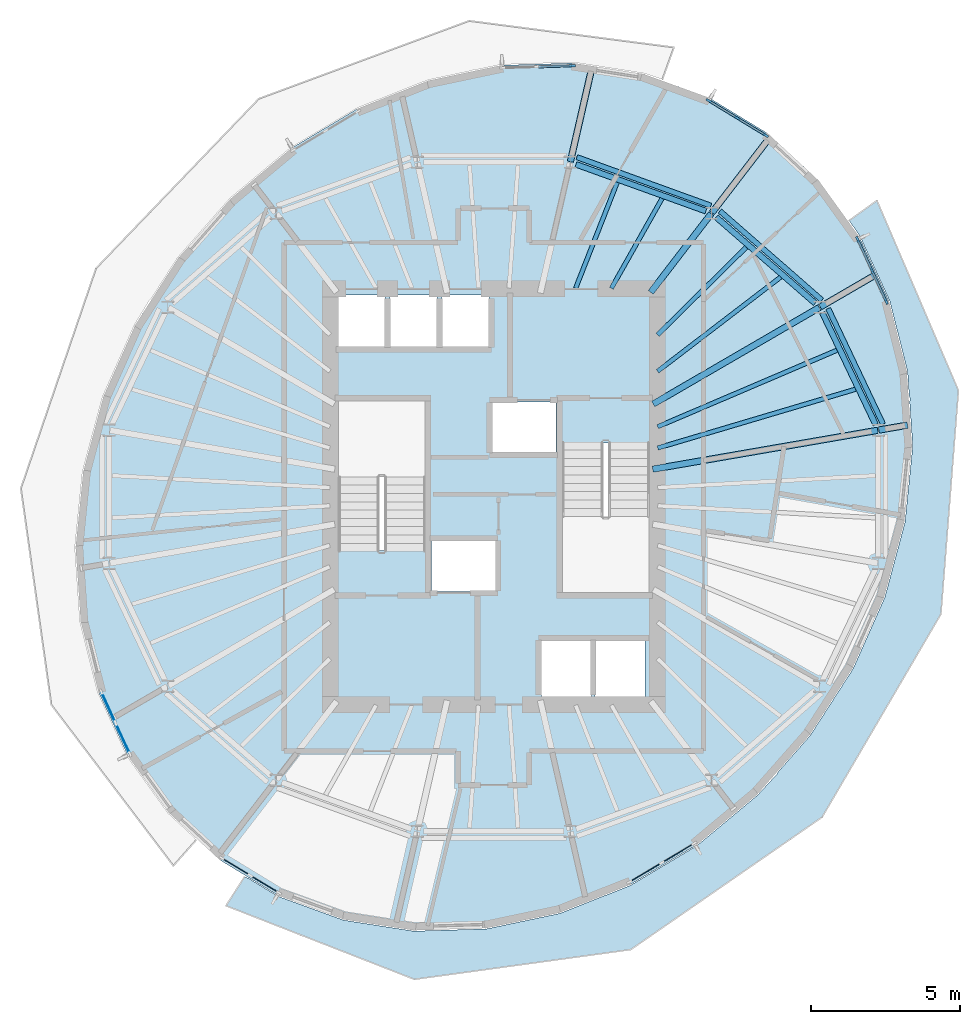
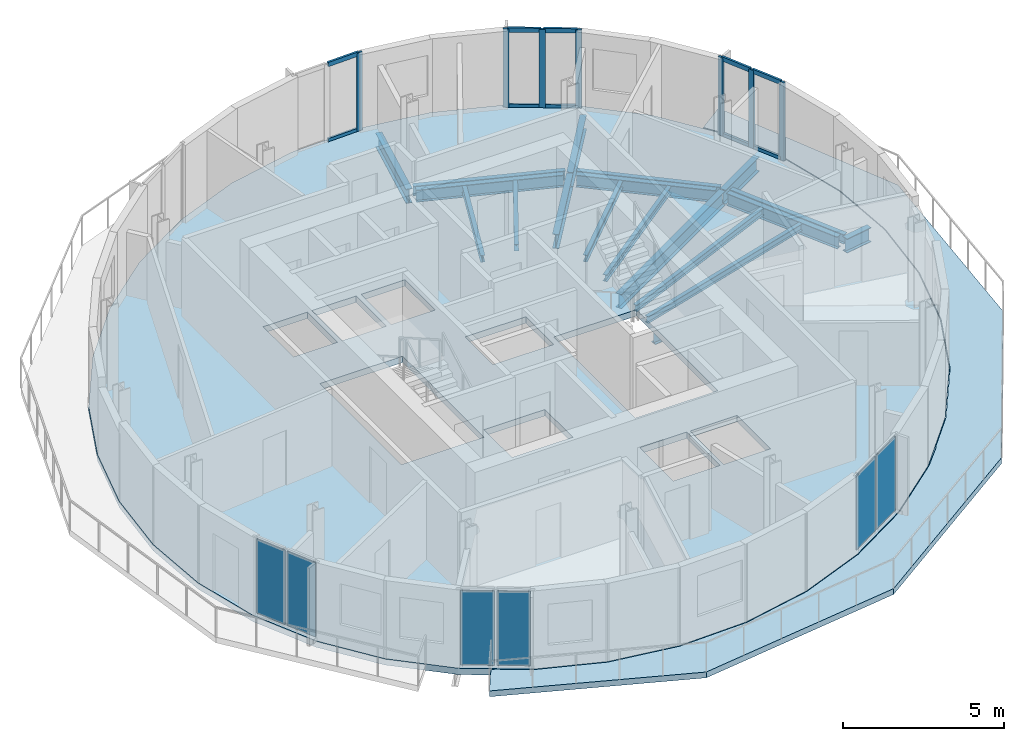
# One storey, part 3 of 11: 19 beams, 17 members, 6 plates, 2 slabs, 6 elements without a shape of their own.
"""IFC4 building model written with IfcOpenShell, lengths in metres."""

from ifc_helpers import new_model, si_unit, direction, frame, origin, origin_2d, place, context, subcontext, project, spatial, polyline, rectangle, i_section, outline, extrude, material, layer, layer_set, material_profile, profile_set, type_object, element, aggregate, save


model = new_model("IFC4")

# Units and contexts
model_context = context("Model", 3, precision=1e-05, world=origin(), true_north=direction((0.0, 1.0)))
body_context = subcontext(model_context, "Body", "Model", "MODEL_VIEW")
ifc_project = project(units=[si_unit("LENGTHUNIT", "METRE"), si_unit("AREAUNIT", "SQUARE_METRE"), si_unit("VOLUMEUNIT", "CUBIC_METRE"), si_unit("PLANEANGLEUNIT", "RADIAN"), si_unit("MASSUNIT", "GRAM", prefix="KILO")], contexts=[model_context])

# Site, building, storey
site_placement = place(None, origin())
site = spatial("IfcSite", under=ifc_project, at=site_placement, CompositionType="ELEMENT")
building_placement = place(site_placement, origin())
building = spatial("IfcBuilding", under=site, at=building_placement, Name="Veldorim Arch Residences", CompositionType="ELEMENT")
storey_placement = place(building_placement, frame((0.0, 0.0, 217.43994140625)))
storey = spatial("IfcBuildingStorey", under=building, at=storey_placement, Name="L65", CompositionType="ELEMENT", Elevation=217.43994140625)

# Beams
ifc_material_1 = material(Name="Steel S355", Category="steel")
ifc_material_profile_1 = material_profile(ifc_material_1, i_section(OverallWidth=0.2119140625, OverallDepth=0.54443359375, WebThickness=0.0126953125, FlangeThickness=0.021240234375, at=origin_2d()), Name="UB533x210x122")
ifc_profile_set_1 = profile_set([ifc_material_profile_1], Name="Steel S355")
beam_type_1 = type_object("IfcBeamType", Name="Structural Steel Beam UB533x210x122", PredefinedType="BEAM", material=ifc_profile_set_1)
beam_1_placement = place(storey_placement, frame((37.352294921875, 24.92578125, -0.51220703125), z_axis=(0.985364974081, 0.170457818401, 0.0), x_axis=(-0.170457818401, 0.985364974081, 0.0)))
element("IfcBeam", 1, at=beam_1_placement, inside=storey, type_object=beam_type_1, Name="L65 radial floor girder 01", PredefinedType="BEAM", context=body_context, shape_type="SweptSolid", body=[
    extrude(i_section(OverallWidth=0.2119140625, OverallDepth=0.54443359375, WebThickness=0.0126953125, FlangeThickness=0.021240234375, at=origin_2d()), origin(), (0.0, 0.0, 1.0), 7.68701171875),
])
beam_2_placement = place(storey_placement, frame((44.966064453125, 26.242919921875, -0.51220703125), z_axis=(0.985356152623, 0.170508804723, 0.0), x_axis=(-0.170508804723, 0.985356152623, 0.0)))
element("IfcBeam", 2, at=beam_2_placement, inside=storey, type_object=beam_type_1, Name="L65 radial edge cantilever girder 01", PredefinedType="BEAM", context=body_context, shape_type="SweptSolid", body=[
    extrude(i_section(OverallWidth=0.2119140625, OverallDepth=0.54443359375, WebThickness=0.0126953125, FlangeThickness=0.021240234375, at=origin_2d()), origin(), (0.0, 0.0, 1.0), 0.97802734375),
])
beam_3_placement = place(storey_placement, frame((37.370361328125, 27.12060546875, -0.51220703125), z_axis=(0.864595736304, 0.502468121142, 0.0), x_axis=(-0.502468121142, 0.864595736304, 0.0)))
element("IfcBeam", 3, at=beam_3_placement, inside=storey, type_object=beam_type_1, Name="L65 radial floor girder 02", PredefinedType="BEAM", context=body_context, shape_type="SweptSolid", body=[
    extrude(i_section(OverallWidth=0.2119140625, OverallDepth=0.54443359375, WebThickness=0.0126953125, FlangeThickness=0.021240234375, at=origin_2d()), origin(), (0.0, 0.0, 1.0), 6.462646484375),
])
beam_4_placement = place(storey_placement, frame((42.99267578125, 30.387939453125, -0.51220703125), z_axis=(0.864602636906, 0.502456247105, 0.0), x_axis=(-0.502456247105, 0.864602636906, 0.0)))
element("IfcBeam", 4, at=beam_4_placement, inside=storey, type_object=beam_type_1, Name="L65 radial edge cantilever girder 02", PredefinedType="BEAM", context=body_context, shape_type="SweptSolid", body=[
    extrude(i_section(OverallWidth=0.2119140625, OverallDepth=0.54443359375, WebThickness=0.0126953125, FlangeThickness=0.021240234375, at=origin_2d()), origin(), (0.0, 0.0, 1.0), 2.09326171875),
])
beam_5_placement = place(storey_placement, frame((37.28662109375, 30.881103515625, -0.51220703125), z_axis=(0.609258442308, 0.792971721108, 0.0), x_axis=(-0.792971721108, 0.609258442308, 0.0)))
element("IfcBeam", 5, at=beam_5_placement, inside=storey, type_object=beam_type_1, Name="L65 radial floor girder 03", PredefinedType="BEAM", context=body_context, shape_type="SweptSolid", body=[
    extrude(i_section(OverallWidth=0.2119140625, OverallDepth=0.54443359375, WebThickness=0.0126953125, FlangeThickness=0.021240234375, at=origin_2d()), origin(), (0.0, 0.0, 1.0), 3.339599609375),
])
beam_6_placement = place(storey_placement, frame((39.345703125, 33.561279296875, -0.51220703125), z_axis=(0.609220133564, 0.793001153126, 0.0), x_axis=(-0.793001153126, 0.609220133564, 0.0)))
element("IfcBeam", 6, at=beam_6_placement, inside=storey, type_object=beam_type_1, Name="L65 radial edge cantilever girder 03", PredefinedType="BEAM", context=body_context, shape_type="SweptSolid", body=[
    extrude(i_section(OverallWidth=0.2119140625, OverallDepth=0.54443359375, WebThickness=0.0126953125, FlangeThickness=0.021240234375, at=origin_2d()), origin(), (0.0, 0.0, 1.0), 3.151123046875),
])
beam_7_placement = place(storey_placement, frame((34.57958984375, 35.27880859375, -0.51220703125), z_axis=(0.22295712551, 0.974828251634, 0.0), x_axis=(-0.974828251634, 0.22295712551, 0.0)))
element("IfcBeam", 7, at=beam_7_placement, inside=storey, type_object=beam_type_1, Name="L65 radial edge cantilever girder 04", PredefinedType="BEAM", context=body_context, shape_type="SweptSolid", body=[
    extrude(i_section(OverallWidth=0.2119140625, OverallDepth=0.54443359375, WebThickness=0.0126953125, FlangeThickness=0.021240234375, at=origin_2d()), origin(), (0.0, 0.0, 1.0), 3.206298828125),
])
ifc_material_2 = material(Name="Steel S355", Category="steel")
ifc_material_profile_2 = material_profile(ifc_material_2, i_section(OverallWidth=0.146484375, OverallDepth=0.256103515625, WebThickness=0.00634765625, FlangeThickness=0.010986328125, at=origin_2d()), Name="UB254x146x37")
ifc_profile_set_2 = profile_set([ifc_material_profile_2], Name="Steel S355")
beam_type_2 = type_object("IfcBeamType", Name="Structural Steel Joist UB254x146x37", PredefinedType="JOIST", material=ifc_profile_set_2)
beam_8_placement = place(storey_placement, frame((37.519287109375, 25.639404296875, -0.367919921875), z_axis=(0.958594432792, 0.284774846889, 0.0), x_axis=(-0.284774846889, 0.958594432792, 0.0)))
element("IfcBeam", 8, at=beam_8_placement, inside=storey, type_object=beam_type_2, Name="L65 secondary radial floor joist 01-1", PredefinedType="JOIST", context=body_context, shape_type="SweptSolid", body=[
    extrude(i_section(OverallWidth=0.146484375, OverallDepth=0.256103515625, WebThickness=0.00634765625, FlangeThickness=0.010986328125, at=origin_2d()), origin(), (0.0, 0.0, 1.0), 6.949462890625),
])
beam_9_placement = place(storey_placement, frame((37.518310546875, 26.355712890625, -0.367919921875), z_axis=(0.919725161652, 0.392562895629, 0.0), x_axis=(-0.392562895629, 0.919725161652, 0.0)))
element("IfcBeam", 9, at=beam_9_placement, inside=storey, type_object=beam_type_2, Name="L65 secondary radial floor joist 01-2", PredefinedType="JOIST", context=body_context, shape_type="SweptSolid", body=[
    extrude(i_section(OverallWidth=0.146484375, OverallDepth=0.256103515625, WebThickness=0.00634765625, FlangeThickness=0.010986328125, at=origin_2d()), origin(), (0.0, 0.0, 1.0), 6.5625),
])
beam_10_placement = place(storey_placement, frame((37.515869140625, 28.222900390625, -0.367919921875), z_axis=(0.794013672216, 0.607899899929, 0.0), x_axis=(-0.607899899929, 0.794013672216, 0.0)))
element("IfcBeam", 10, at=beam_10_placement, inside=storey, type_object=beam_type_2, Name="L65 secondary radial floor joist 02-1", PredefinedType="JOIST", context=body_context, shape_type="SweptSolid", body=[
    extrude(i_section(OverallWidth=0.146484375, OverallDepth=0.256103515625, WebThickness=0.00634765625, FlangeThickness=0.010986328125, at=origin_2d()), origin(), (0.0, 0.0, 1.0), 5.217041015625),
])
beam_11_placement = place(storey_placement, frame((37.51416015625, 29.44775390625, -0.367919921875), z_axis=(0.711396725432, 0.702790650937, 0.0), x_axis=(-0.702790650937, 0.711396725432, 0.0)))
element("IfcBeam", 11, at=beam_11_placement, inside=storey, type_object=beam_type_2, Name="L65 secondary radial floor joist 02-2", PredefinedType="JOIST", context=body_context, shape_type="SweptSolid", body=[
    extrude(i_section(OverallWidth=0.146484375, OverallDepth=0.256103515625, WebThickness=0.00634765625, FlangeThickness=0.010986328125, at=origin_2d()), origin(), (0.0, 0.0, 1.0), 4.198486328125),
])
beam_12_placement = place(storey_placement, frame((35.960205078125, 31.017333984375, -0.367919921875), z_axis=(0.491452469585, 0.870904397818, 0.0), x_axis=(-0.870904397818, 0.491452469585, 0.0)))
element("IfcBeam", 12, at=beam_12_placement, inside=storey, type_object=beam_type_2, Name="L65 secondary radial floor joist 03-1", PredefinedType="JOIST", context=body_context, shape_type="SweptSolid", body=[
    extrude(i_section(OverallWidth=0.146484375, OverallDepth=0.256103515625, WebThickness=0.00634765625, FlangeThickness=0.010986328125, at=origin_2d()), origin(), (0.0, 0.0, 1.0), 3.472412109375),
])
beam_13_placement = place(storey_placement, frame((34.75634765625, 31.0185546875, -0.367919921875), z_axis=(0.365581383042, 0.930779379001, 0.0), x_axis=(-0.930779379001, 0.365581383042, 0.0)))
element("IfcBeam", 13, at=beam_13_placement, inside=storey, type_object=beam_type_2, Name="L65 secondary radial floor joist 03-2", PredefinedType="JOIST", context=body_context, shape_type="SweptSolid", body=[
    extrude(i_section(OverallWidth=0.146484375, OverallDepth=0.256103515625, WebThickness=0.00634765625, FlangeThickness=0.010986328125, at=origin_2d()), origin(), (0.0, 0.0, 1.0), 3.83056640625),
])
ifc_material_3 = material(Name="Steel S355", Category="steel")
ifc_material_profile_3 = material_profile(ifc_material_3, i_section(OverallWidth=0.172119140625, OverallDepth=0.35791015625, WebThickness=0.008056640625, FlangeThickness=0.012939453125, at=origin_2d()), Name="UB356x171x57")
ifc_profile_set_3 = profile_set([ifc_material_profile_3], Name="Steel S355")
beam_type_3 = type_object("IfcBeamType", Name="Structural Steel Spandrel UB356x171x57", PredefinedType="SPANDREL", material=ifc_profile_set_3)
beam_14_placement = place(storey_placement, frame((45.106201171875, 26.4423828125, -0.43896484375), z_axis=(-0.428468601304, 0.903556670994, 0.0), x_axis=(-0.903556670994, -0.428468601304, 0.0)))
element("IfcBeam", 14, at=beam_14_placement, inside=storey, type_object=beam_type_3, Name="L65 perimeter chord spandrel beam 01", PredefinedType="SPANDREL", context=body_context, shape_type="SweptSolid", body=[
    extrude(i_section(OverallWidth=0.172119140625, OverallDepth=0.35791015625, WebThickness=0.008056640625, FlangeThickness=0.012939453125, at=origin_2d()), origin(), (0.0, 0.0, 1.0), 4.31005859375),
])
beam_15_placement = place(storey_placement, frame((43.048095703125, 30.6162109375, -0.43896484375), z_axis=(-0.752868439096, 0.658171036596, 0.0), x_axis=(-0.658171036596, -0.752868439096, 0.0)))
element("IfcBeam", 15, at=beam_15_placement, inside=storey, type_object=beam_type_3, Name="L65 perimeter chord spandrel beam 02", PredefinedType="SPANDREL", context=body_context, shape_type="SweptSolid", body=[
    extrude(i_section(OverallWidth=0.172119140625, OverallDepth=0.35791015625, WebThickness=0.008056640625, FlangeThickness=0.012939453125, at=origin_2d()), origin(), (0.0, 0.0, 1.0), 4.560791015625),
])
beam_16_placement = place(storey_placement, frame((39.311279296875, 33.796630859375, -0.43896484375), z_axis=(-0.940178823137, 0.340681347486, 0.0), x_axis=(-0.340681347486, -0.940178823137, 0.0)))
element("IfcBeam", 16, at=beam_16_placement, inside=storey, type_object=beam_type_3, Name="L65 perimeter chord spandrel beam 03", PredefinedType="SPANDREL", context=body_context, shape_type="SweptSolid", body=[
    extrude(i_section(OverallWidth=0.172119140625, OverallDepth=0.35791015625, WebThickness=0.008056640625, FlangeThickness=0.012939453125, at=origin_2d()), origin(), (0.0, 0.0, 1.0), 4.80126953125),
])
ifc_material_4 = material(Name="Steel S355", Category="steel")
ifc_material_profile_4 = material_profile(ifc_material_4, i_section(OverallWidth=0.19140625, OverallDepth=0.4599609375, WebThickness=0.010009765625, FlangeThickness=0.01611328125, at=origin_2d()), Name="UB457x191x82")
ifc_profile_set_4 = profile_set([ifc_material_profile_4], Name="Steel S355")
beam_type_4 = type_object("IfcBeamType", Name="Structural Steel Spandrel UB457x191x82", PredefinedType="SPANDREL", material=ifc_profile_set_4)
beam_17_placement = place(storey_placement, frame((44.85888671875, 26.42333984375, -0.469970703125), z_axis=(-0.429992574394, 0.902832424078, 0.0), x_axis=(-0.902832424078, -0.429992574394, 0.0)))
element("IfcBeam", 17, at=beam_17_placement, inside=storey, type_object=beam_type_4, Name="L65 perimeter ring tie beam 01", PredefinedType="SPANDREL", context=body_context, shape_type="SweptSolid", body=[
    extrude(i_section(OverallWidth=0.19140625, OverallDepth=0.4599609375, WebThickness=0.010009765625, FlangeThickness=0.01611328125, at=origin_2d()), origin(), (0.0, 0.0, 1.0), 4.176513671875),
])
beam_18_placement = place(storey_placement, frame((42.82177734375, 30.511474609375, -0.469970703125), z_axis=(-0.754534162517, 0.656260769508, 0.0), x_axis=(-0.656260769508, -0.754534162517, 0.0)))
element("IfcBeam", 18, at=beam_18_placement, inside=storey, type_object=beam_type_4, Name="L65 perimeter ring tie beam 02", PredefinedType="SPANDREL", context=body_context, shape_type="SweptSolid", body=[
    extrude(i_section(OverallWidth=0.19140625, OverallDepth=0.4599609375, WebThickness=0.010009765625, FlangeThickness=0.01611328125, at=origin_2d()), origin(), (0.0, 0.0, 1.0), 4.419677734375),
])
beam_19_placement = place(storey_placement, frame((39.14208984375, 33.6142578125, -0.469970703125), z_axis=(-0.940819134121, 0.338909068736, 0.0), x_axis=(-0.338909068736, -0.940819134121, 0.0)))
element("IfcBeam", 19, at=beam_19_placement, inside=storey, type_object=beam_type_4, Name="L65 perimeter ring tie beam 03", PredefinedType="SPANDREL", context=body_context, shape_type="SweptSolid", body=[
    extrude(i_section(OverallWidth=0.19140625, OverallDepth=0.4599609375, WebThickness=0.010009765625, FlangeThickness=0.01611328125, at=origin_2d()), origin(), (0.0, 0.0, 1.0), 4.650634765625),
])

# Curtain wall, members
ifc_material_5 = material(Name="Aluminium", Category="aluminium")
curtain_wall_type = type_object("IfcCurtainWallType", Name="Zone 4 High-Altitude Unitised Curtain Wall", PredefinedType="NOTDEFINED", material=ifc_material_5)
curtain_wall_1_placement = place(storey_placement, origin())
curtain_wall_1 = element("IfcCurtainWall", 20, at=curtain_wall_1_placement, inside=storey, type_object=curtain_wall_type, Name="L65 unitised curtain wall bay 01", PredefinedType="NOTDEFINED")
ifc_material_6 = material(Name="Aluminium", Category="aluminium")
ifc_material_profile_5 = material_profile(ifc_material_6, rectangle(XDim=0.074951171875, YDim=0.195068359375, at=origin_2d()), Name="ALU_MUL_75x195")
ifc_profile_set_5 = profile_set([ifc_material_profile_5], Name="Aluminium")
member_type_1 = type_object("IfcMemberType", Name="Zone 4 High-Altitude Unitised Curtain Wall Mullion 75x195", PredefinedType="MULLION", material=ifc_profile_set_5)
member_1_placement = place(storey_placement, frame((39.236572265625, 37.334716796875, 0.0), z_axis=(0.0, 0.0, 1.0), x_axis=(0.520032918989, 0.854146218846, 0.0)))
member_1 = element("IfcMember", 21, at=member_1_placement, type_object=member_type_1, Name="CW-Z4 mullion 1", PredefinedType="MULLION", context=body_context, shape_type="SweptSolid", body=[
    extrude(rectangle(XDim=0.074951171875, YDim=0.195068359375, at=origin_2d()), origin(), (0.0, 0.0, 1.0), 2.9599609375),
])
member_2_placement = place(storey_placement, frame((40.197265625, 36.749755859375, 0.0), z_axis=(0.0, 0.0, 1.0), x_axis=(0.520032918989, 0.854146218846, 0.0)))
member_2 = element("IfcMember", 22, at=member_2_placement, type_object=member_type_1, Name="CW-Z4 mullion 2", PredefinedType="MULLION", context=body_context, shape_type="SweptSolid", body=[
    extrude(rectangle(XDim=0.074951171875, YDim=0.195068359375, at=origin_2d()), origin(), (0.0, 0.0, 1.0), 2.9599609375),
])
member_3_placement = place(storey_placement, frame((41.157958984375, 36.164794921875, 0.0), z_axis=(0.0, 0.0, 1.0), x_axis=(0.520032918989, 0.854146218846, 0.0)))
member_3 = element("IfcMember", 23, at=member_3_placement, type_object=member_type_1, Name="CW-Z4 mullion 3", PredefinedType="MULLION", context=body_context, shape_type="SweptSolid", body=[
    extrude(rectangle(XDim=0.074951171875, YDim=0.195068359375, at=origin_2d()), origin(), (0.0, 0.0, 1.0), 2.9599609375),
])

# Curtain wall, member
curtain_wall_2_placement = place(storey_placement, origin())
curtain_wall_2 = element("IfcCurtainWall", 24, at=curtain_wall_2_placement, inside=storey, type_object=curtain_wall_type, Name="L65 unitised curtain wall bay 04", PredefinedType="NOTDEFINED")
member_4_placement = place(storey_placement, frame((34.6513671875, 38.509033203125, 0.0), z_axis=(0.0, 0.0, 1.0), x_axis=(-0.030834608084, 0.999524500422, 0.0)))
member_4 = element("IfcMember", 25, at=member_4_placement, type_object=member_type_1, Name="CW-Z4 mullion 3", PredefinedType="MULLION", context=body_context, shape_type="SweptSolid", body=[
    extrude(rectangle(XDim=0.074951171875, YDim=0.195068359375, at=origin_2d()), origin(), (0.0, 0.0, 1.0), 2.9599609375),
])

# Curtain wall, members
curtain_wall_3_placement = place(storey_placement, origin())
curtain_wall_3 = element("IfcCurtainWall", 26, at=curtain_wall_3_placement, inside=storey, type_object=curtain_wall_type, Name="L65 unitised curtain wall bay 34", PredefinedType="NOTDEFINED")
member_5_placement = place(storey_placement, frame((44.248291015625, 32.666748046875, 0.0), z_axis=(0.0, 0.0, 1.0), x_axis=(0.908400123828, 0.418101919427, 0.0)))
member_5 = element("IfcMember", 27, at=member_5_placement, type_object=member_type_1, Name="CW-Z4 mullion 1", PredefinedType="MULLION", context=body_context, shape_type="SweptSolid", body=[
    extrude(rectangle(XDim=0.074951171875, YDim=0.195068359375, at=origin_2d()), origin(), (0.0, 0.0, 1.0), 2.9599609375),
])
member_6_placement = place(storey_placement, frame((44.731689453125, 31.6162109375, 0.0), z_axis=(0.0, 0.0, 1.0), x_axis=(0.908400123828, 0.418101919427, 0.0)))
member_6 = element("IfcMember", 28, at=member_6_placement, type_object=member_type_1, Name="CW-Z4 mullion 2", PredefinedType="MULLION", context=body_context, shape_type="SweptSolid", body=[
    extrude(rectangle(XDim=0.074951171875, YDim=0.195068359375, at=origin_2d()), origin(), (0.0, 0.0, 1.0), 2.9599609375),
])
member_7_placement = place(storey_placement, frame((45.21533203125, 30.565673828125, 0.0), z_axis=(0.0, 0.0, 1.0), x_axis=(0.908400123828, 0.418101919427, 0.0)))
member_7 = element("IfcMember", 29, at=member_7_placement, type_object=member_type_1, Name="CW-Z4 mullion 3", PredefinedType="MULLION", context=body_context, shape_type="SweptSolid", body=[
    extrude(rectangle(XDim=0.074951171875, YDim=0.195068359375, at=origin_2d()), origin(), (0.0, 0.0, 1.0), 2.9599609375),
])

# Member
ifc_material_7 = material(Name="Aluminium", Category="aluminium")
ifc_material_profile_6 = material_profile(ifc_material_7, rectangle(XDim=0.074951171875, YDim=0.1650390625, at=origin_2d()), Name="ALU_TRN_75x165")
ifc_profile_set_6 = profile_set([ifc_material_profile_6], Name="Aluminium")
member_type_2 = type_object("IfcMemberType", Name="Zone 4 High-Altitude Unitised Curtain Wall Transom 75x165", PredefinedType="USERDEFINED", material=ifc_profile_set_6)
member_8_placement = place(storey_placement, frame((39.2685546875, 37.315185546875, 0.03759765625), z_axis=(0.854171610256, -0.519991211688, 0.0), x_axis=(0.519991211688, 0.854171610256, 0.0)))
member_8 = element("IfcMember", 30, at=member_8_placement, type_object=member_type_2, Name="CW-Z4 transom 1.1", ObjectType="TRANSOM", PredefinedType="USERDEFINED", context=body_context, shape_type="SweptSolid", body=[
    extrude(rectangle(XDim=0.074951171875, YDim=0.1650390625, at=origin_2d()), origin(), (0.0, 0.0, 1.0), 1.0498046875),
])

member_9_placement = place(storey_placement, frame((39.2685546875, 37.315185546875, 2.922607421875), z_axis=(0.854171610256, -0.519991211688, 0.0), x_axis=(0.519991211688, 0.854171610256, 0.0)))
member_9 = element("IfcMember", 31, at=member_9_placement, type_object=member_type_2, Name="CW-Z4 transom 1.2", ObjectType="TRANSOM", PredefinedType="USERDEFINED", context=body_context, shape_type="SweptSolid", body=[
    extrude(rectangle(XDim=0.074951171875, YDim=0.1650390625, at=origin_2d()), origin(), (0.0, 0.0, 1.0), 1.0498046875),
])

member_10_placement = place(storey_placement, frame((40.229248046875, 36.730224609375, 0.03759765625), z_axis=(0.854171610256, -0.519991211688, 0.0), x_axis=(0.519991211688, 0.854171610256, 0.0)))
member_10 = element("IfcMember", 32, at=member_10_placement, type_object=member_type_2, Name="CW-Z4 transom 2.1", ObjectType="TRANSOM", PredefinedType="USERDEFINED", context=body_context, shape_type="SweptSolid", body=[
    extrude(rectangle(XDim=0.074951171875, YDim=0.1650390625, at=origin_2d()), origin(), (0.0, 0.0, 1.0), 1.0498046875),
])

member_11_placement = place(storey_placement, frame((40.229248046875, 36.730224609375, 2.922607421875), z_axis=(0.854171610256, -0.519991211688, 0.0), x_axis=(0.519991211688, 0.854171610256, 0.0)))
member_11 = element("IfcMember", 33, at=member_11_placement, type_object=member_type_2, Name="CW-Z4 transom 2.2", ObjectType="TRANSOM", PredefinedType="USERDEFINED", context=body_context, shape_type="SweptSolid", body=[
    extrude(rectangle(XDim=0.074951171875, YDim=0.1650390625, at=origin_2d()), origin(), (0.0, 0.0, 1.0), 1.0498046875),
])

aggregate(curtain_wall_1, [member_1, member_2, member_3, member_8, member_9, member_10, member_11])

member_12_placement = place(storey_placement, frame((33.505859375, 38.473876953125, 0.03759765625), z_axis=(0.999524669181, 0.030829137186, 0.0), x_axis=(-0.030829137186, 0.999524669181, 0.0)))
member_12 = element("IfcMember", 34, at=member_12_placement, type_object=member_type_2, Name="CW-Z4 transom 2.1", ObjectType="TRANSOM", PredefinedType="USERDEFINED", context=body_context, shape_type="SweptSolid", body=[
    extrude(rectangle(XDim=0.074951171875, YDim=0.1650390625, at=origin_2d()), origin(), (0.0, 0.0, 1.0), 1.108642578125),
])

member_13_placement = place(storey_placement, frame((33.505859375, 38.473876953125, 2.922607421875), z_axis=(0.999524669181, 0.030829137186, 0.0), x_axis=(-0.030829137186, 0.999524669181, 0.0)))
member_13 = element("IfcMember", 35, at=member_13_placement, type_object=member_type_2, Name="CW-Z4 transom 2.2", ObjectType="TRANSOM", PredefinedType="USERDEFINED", context=body_context, shape_type="SweptSolid", body=[
    extrude(rectangle(XDim=0.074951171875, YDim=0.1650390625, at=origin_2d()), origin(), (0.0, 0.0, 1.0), 1.108642578125),
])

aggregate(curtain_wall_2, [member_4, member_12, member_13])

member_14_placement = place(storey_placement, frame((44.263916015625, 32.632568359375, 0.03759765625), z_axis=(0.418084469108, -0.908408155341, 0.0), x_axis=(0.908408155341, 0.418084469108, 0.0)))
member_14 = element("IfcMember", 36, at=member_14_placement, type_object=member_type_2, Name="CW-Z4 transom 1.1", ObjectType="TRANSOM", PredefinedType="USERDEFINED", context=body_context, shape_type="SweptSolid", body=[
    extrude(rectangle(XDim=0.074951171875, YDim=0.1650390625, at=origin_2d()), origin(), (0.0, 0.0, 1.0), 1.08154296875),
])

member_15_placement = place(storey_placement, frame((44.263916015625, 32.632568359375, 2.922607421875), z_axis=(0.418084469108, -0.908408155341, 0.0), x_axis=(0.908408155341, 0.418084469108, 0.0)))
member_15 = element("IfcMember", 37, at=member_15_placement, type_object=member_type_2, Name="CW-Z4 transom 1.2", ObjectType="TRANSOM", PredefinedType="USERDEFINED", context=body_context, shape_type="SweptSolid", body=[
    extrude(rectangle(XDim=0.074951171875, YDim=0.1650390625, at=origin_2d()), origin(), (0.0, 0.0, 1.0), 1.08154296875),
])

member_16_placement = place(storey_placement, frame((44.747314453125, 31.58203125, 0.03759765625), z_axis=(0.418084469108, -0.908408155341, 0.0), x_axis=(0.908408155341, 0.418084469108, 0.0)))
member_16 = element("IfcMember", 38, at=member_16_placement, type_object=member_type_2, Name="CW-Z4 transom 2.1", ObjectType="TRANSOM", PredefinedType="USERDEFINED", context=body_context, shape_type="SweptSolid", body=[
    extrude(rectangle(XDim=0.074951171875, YDim=0.1650390625, at=origin_2d()), origin(), (0.0, 0.0, 1.0), 1.08154296875),
])

member_17_placement = place(storey_placement, frame((44.747314453125, 31.58203125, 2.922607421875), z_axis=(0.418084469108, -0.908408155341, 0.0), x_axis=(0.908408155341, 0.418084469108, 0.0)))
member_17 = element("IfcMember", 39, at=member_17_placement, type_object=member_type_2, Name="CW-Z4 transom 2.2", ObjectType="TRANSOM", PredefinedType="USERDEFINED", context=body_context, shape_type="SweptSolid", body=[
    extrude(rectangle(XDim=0.074951171875, YDim=0.1650390625, at=origin_2d()), origin(), (0.0, 0.0, 1.0), 1.08154296875),
])

aggregate(curtain_wall_3, [member_5, member_6, member_7, member_14, member_15, member_16, member_17])

# Slabs
ifc_material_8 = material(Name="Concrete C40/50", Category="concrete")
ifc_layer_1 = layer(ifc_material_8, 0.219970703125, Name="Planted Crescent Cantilever Balcony Slab 220")
ifc_layer_set_1 = layer_set([ifc_layer_1], Name="Concrete C40/50")
slab_type_1 = type_object("IfcSlabType", Name="Planted Crescent Cantilever Balcony Slab 220", PredefinedType="FLOOR", material=ifc_layer_set_1)
slab_1_placement = place(storey_placement, frame((0.0, 0.0, -0.219970703125)))
element("IfcSlab", 40, at=slab_1_placement, inside=storey, type_object=slab_type_1, Name="L65 planted crescent balcony slab B", PredefinedType="FLOOR", context=body_context, shape_type="SweptSolid", body=[
    extrude(outline(polyline([(23.731201171875, 11.1591796875), (24.73779296875, 10.54638671875), (26.948486328125, 9.743896484375), (29.312255859375, 9.37451171875), (31.7578125, 9.4501953125), (34.210205078125, 9.967529296875), (36.595703125, 10.911376953125), (38.841064453125, 12.252685546875), (40.878662109375, 13.95068359375), (41.530517578125, 14.65625), (41.59375, 14.760986328125), (42.646484375, 15.953857421875), (44.09130859375, 18.201416015625), (45.168701171875, 20.625244140625), (45.84619140625, 23.151611328125), (46.102783203125, 25.703857421875), (46.001220703125, 27.1865234375), (46.017578125, 27.311767578125), (45.986328125, 27.40283203125), (45.931396484375, 28.204345703125), (45.33642578125, 30.577392578125), (44.3359375, 32.751220703125), (43.966796875, 33.300048828125), (44.900390625, 33.97119140625), (47.643310546875, 27.57861328125), (47.053466796875, 20.04638671875), (43.05419921875, 13.211181640625), (36.615234375, 8.75341796875), (29.326904296875, 7.751708984375), (22.98486328125, 10.2294921875), (23.605712890625, 11.197509765625), (23.731201171875, 11.1591796875)])), origin(), (0.0, 0.0, 1.0), 0.219970703125),
])
ifc_material_9 = material(Name="Concrete C40/50", Category="concrete")
ifc_layer_2 = layer(ifc_material_9, 0.239990234375, Name="Typical Residential Floor Slab 240")
ifc_layer_set_2 = layer_set([ifc_layer_2], Name="Concrete C40/50")
slab_type_2 = type_object("IfcSlabType", Name="Typical Residential Floor Slab 240", PredefinedType="FLOOR", material=ifc_layer_set_2)
slab_2_placement = place(storey_placement, frame((0.0, 0.0, -0.239990234375)))
element("IfcSlab", 41, at=slab_2_placement, inside=storey, type_object=slab_type_2, Name="L65 tower structural floor slab", PredefinedType="FLOOR", context=body_context, shape_type="SweptSolid", body=[
    extrude(outline(polyline([(41.23681640625, 36.22216796875), (39.251220703125, 37.43115234375), (37.04541015625, 38.23193359375), (34.68603515625, 38.600341796875), (32.2451171875, 38.52490234375), (29.796875, 38.00830078125), (27.41552734375, 37.066162109375), (25.17333984375, 35.726806640625), (23.138916015625, 34.031494140625), (21.373291015625, 32.031005859375), (19.930908203125, 29.78662109375), (18.85498046875, 27.366455078125), (18.1787109375, 24.843994140625), (17.922119140625, 22.2958984375), (18.093505859375, 19.799560546875), (18.687255859375, 17.430908203125), (19.685791015625, 15.26171875), (21.05810546875, 13.35791015625), (22.76318359375, 11.77783203125), (24.748779296875, 10.56884765625), (26.95458984375, 9.76806640625), (29.31396484375, 9.399658203125), (31.7548828125, 9.47509765625), (34.203125, 9.99169921875), (36.58447265625, 10.933837890625), (38.82666015625, 12.273193359375), (40.861083984375, 13.968505859375), (42.626708984375, 15.968994140625), (44.069091796875, 18.21337890625), (45.14501953125, 20.633544921875), (45.8212890625, 23.156005859375), (46.077880859375, 25.7041015625), (45.906494140625, 28.200439453125), (45.312744140625, 30.569091796875), (44.314208984375, 32.73828125), (42.94189453125, 34.64208984375), (41.23681640625, 36.22216796875)]), holes=[polyline([(33.610107421875, 17.2099609375), (33.610107421875, 19.2900390625), (35.2900390625, 19.2900390625), (35.2900390625, 17.2099609375), (33.610107421875, 17.2099609375)]), polyline([(35.409912109375, 17.2099609375), (35.409912109375, 19.2900390625), (37.090087890625, 19.2900390625), (37.090087890625, 17.2099609375), (35.409912109375, 17.2099609375)]), polyline([(29.909912109375, 20.81494140625), (29.909912109375, 22.544921875), (32.090087890625, 22.544921875), (32.090087890625, 20.81494140625), (29.909912109375, 20.81494140625)]), polyline([(34.2900390625, 20.75), (34.2900390625, 25.804931640625), (37.25, 25.804931640625), (37.25, 20.75), (34.2900390625, 20.75)]), polyline([(26.75, 22.195068359375), (26.75, 27.25), (29.7099609375, 27.25), (29.7099609375, 22.195068359375), (26.75, 22.195068359375)]), polyline([(31.909912109375, 25.455078125), (31.909912109375, 27.18505859375), (34.090087890625, 27.18505859375), (34.090087890625, 25.455078125), (31.909912109375, 25.455078125)]), polyline([(26.760009765625, 28.909912109375), (26.760009765625, 30.7900390625), (28.340087890625, 30.7900390625), (28.340087890625, 28.909912109375), (26.760009765625, 28.909912109375)]), polyline([(28.510009765625, 30.7900390625), (30.090087890625, 30.7900390625), (30.090087890625, 28.909912109375), (28.510009765625, 28.909912109375), (28.510009765625, 30.7900390625)]), polyline([(30.260009765625, 30.7900390625), (31.840087890625, 30.7900390625), (31.840087890625, 28.909912109375), (30.260009765625, 28.909912109375), (30.260009765625, 30.7900390625)])]), origin(), (0.0, 0.0, 1.0), 0.239990234375),
])

# Curtain wall, plates
curtain_wall_4_placement = place(storey_placement, origin())
curtain_wall_4 = element("IfcCurtainWall", 42, at=curtain_wall_4_placement, inside=storey, type_object=curtain_wall_type, Name="L65 unitised curtain wall bay 16", PredefinedType="NOTDEFINED")
ifc_material_10 = material(Name="Laminated Low-E Glass", Category="glass")
ifc_layer_3 = layer(ifc_material_10, 0.030029296875, Name="Zone 4 High-Altitude Unitised Curtain Wall Glazing Panel 30")
ifc_layer_set_3 = layer_set([ifc_layer_3], Name="Laminated Low-E Glass")
plate_type = type_object("IfcPlateType", Name="Zone 4 High-Altitude Unitised Curtain Wall Glazing Panel 30", PredefinedType="CURTAIN_PANEL", material=ifc_layer_set_3)
plate_1_placement = place(storey_placement, frame((19.510009765625, 15.858642578125, 0.074951171875), z_axis=(0.0, 0.0, 1.0), x_axis=(-0.418101919427, 0.908400123828, 0.0)))
plate_1 = element("IfcPlate", 43, at=plate_1_placement, type_object=plate_type, Name="CW-Z4 panel 1.1", PredefinedType="CURTAIN_PANEL", context=body_context, shape_type="SweptSolid", body=[
    extrude(rectangle(XDim=1.08154296875, YDim=0.030029296875, at=origin_2d()), origin(), (0.0, 0.0, 1.0), 2.81005859375),
])
plate_2_placement = place(storey_placement, frame((19.026611328125, 16.9091796875, 0.074951171875), z_axis=(0.0, 0.0, 1.0), x_axis=(-0.418101919427, 0.908400123828, 0.0)))
plate_2 = element("IfcPlate", 44, at=plate_2_placement, type_object=plate_type, Name="CW-Z4 panel 2.1", PredefinedType="CURTAIN_PANEL", context=body_context, shape_type="SweptSolid", body=[
    extrude(rectangle(XDim=1.08154296875, YDim=0.030029296875, at=origin_2d()), origin(), (0.0, 0.0, 1.0), 2.81005859375),
])
aggregate(curtain_wall_4, [plate_1, plate_2])

curtain_wall_5_placement = place(storey_placement, origin())
curtain_wall_5 = element("IfcCurtainWall", 45, at=curtain_wall_5_placement, inside=storey, type_object=curtain_wall_type, Name="L65 unitised curtain wall bay 19", PredefinedType="NOTDEFINED")
plate_3_placement = place(storey_placement, frame((24.283203125, 10.957763671875, 0.074951171875), z_axis=(0.0, 0.0, 1.0), x_axis=(-0.854146218846, 0.520032918989, 0.0)))
plate_3 = element("IfcPlate", 46, at=plate_3_placement, type_object=plate_type, Name="CW-Z4 panel 1.1", PredefinedType="CURTAIN_PANEL", context=body_context, shape_type="SweptSolid", body=[
    extrude(rectangle(XDim=1.0498046875, YDim=0.030029296875, at=origin_2d()), origin(), (0.0, 0.0, 1.0), 2.81005859375),
])
plate_4_placement = place(storey_placement, frame((23.322265625, 11.542724609375, 0.074951171875), z_axis=(0.0, 0.0, 1.0), x_axis=(-0.854146218846, 0.520032918989, 0.0)))
plate_4 = element("IfcPlate", 47, at=plate_4_placement, type_object=plate_type, Name="CW-Z4 panel 2.1", PredefinedType="CURTAIN_PANEL", context=body_context, shape_type="SweptSolid", body=[
    extrude(rectangle(XDim=1.0498046875, YDim=0.030029296875, at=origin_2d()), origin(), (0.0, 0.0, 1.0), 2.81005859375),
])
aggregate(curtain_wall_5, [plate_3, plate_4])

curtain_wall_6_placement = place(storey_placement, origin())
curtain_wall_6 = element("IfcCurtainWall", 48, at=curtain_wall_6_placement, inside=storey, type_object=curtain_wall_type, Name="L65 unitised curtain wall bay 25", PredefinedType="NOTDEFINED")
plate_5_placement = place(storey_placement, frame((38.203857421875, 12.005859375, 0.074951171875), z_axis=(0.0, 0.0, 1.0), x_axis=(-0.85849808331, -0.512816771325, 0.0)))
plate_5 = element("IfcPlate", 49, at=plate_5_placement, type_object=plate_type, Name="CW-Z4 panel 1.1", PredefinedType="CURTAIN_PANEL", context=body_context, shape_type="SweptSolid", body=[
    extrude(rectangle(XDim=1.193359375, YDim=0.030029296875, at=origin_2d()), origin(), (0.0, 0.0, 1.0), 2.81005859375),
])
plate_6_placement = place(storey_placement, frame((37.114990234375, 11.35546875, 0.074951171875), z_axis=(0.0, 0.0, 1.0), x_axis=(-0.85849808331, -0.512816771325, 0.0)))
plate_6 = element("IfcPlate", 50, at=plate_6_placement, type_object=plate_type, Name="CW-Z4 panel 2.1", PredefinedType="CURTAIN_PANEL", context=body_context, shape_type="SweptSolid", body=[
    extrude(rectangle(XDim=1.193359375, YDim=0.030029296875, at=origin_2d()), origin(), (0.0, 0.0, 1.0), 2.81005859375),
])
aggregate(curtain_wall_6, [plate_5, plate_6])

save(model, "model.ifc")
